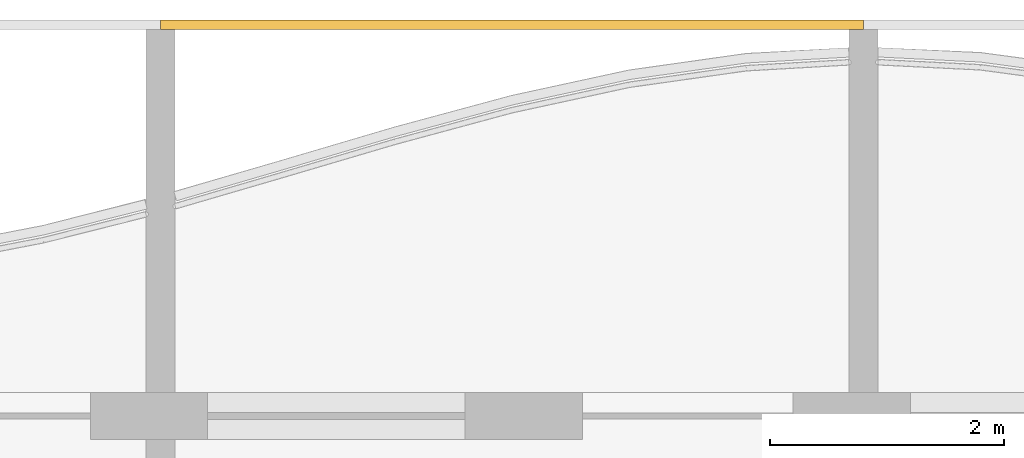
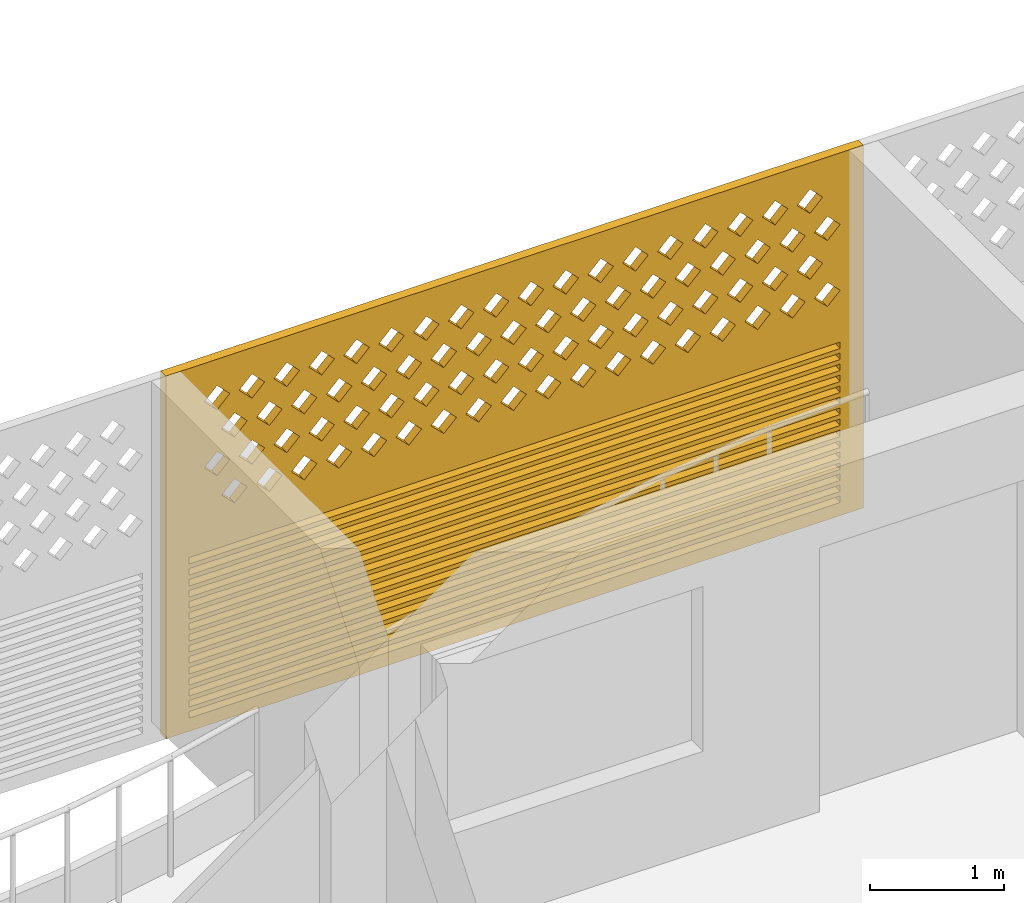
# One storey, part 24 of 26: 1 covering.
"""IFC4 building model written with IfcOpenShell, lengths in metres."""

from ifc_helpers import new_model, si_unit, direction, frame, origin, place, context, subcontext, project, spatial, polyline, outline, extrude, source, transform, mapped, material, material_profile, profile_set, type_object, element, save


model = new_model("IFC4")

# Units and contexts
model_context = context("Model", 3, precision=1e-05, world=origin(), true_north=direction((0.0, 1.0)))
body_context = subcontext(model_context, "Body", "Model", "MODEL_VIEW")
ifc_project = project(units=[si_unit("LENGTHUNIT", "METRE"), si_unit("AREAUNIT", "SQUARE_METRE"), si_unit("VOLUMEUNIT", "CUBIC_METRE"), si_unit("PLANEANGLEUNIT", "RADIAN"), si_unit("MASSUNIT", "GRAM", prefix="KILO")], contexts=[model_context])

# Site, building, storey
site_placement = place(None, origin())
site = spatial("IfcSite", under=ifc_project, at=site_placement, CompositionType="ELEMENT")
building_placement = place(site_placement, origin())
building = spatial("IfcBuilding", under=site, at=building_placement, Name="Poui Terraces", CompositionType="ELEMENT")
storey_placement = place(building_placement, frame((0.0, 0.0, 247.800048828125)))
storey = spatial("IfcBuildingStorey", under=building, at=storey_placement, Name="L69", CompositionType="ELEMENT", Elevation=247.800048828125)

# Covering
ifc_material = material(Name="Terracotta screen", Category="masonry")
ifc_material_profile = material_profile(ifc_material, outline(polyline([(-3.0, -1.64990234375), (3.0, -1.64990234375), (3.0, 1.64990234375), (-3.0, 1.64990234375), (-3.0, -1.64990234375)]), holes=[polyline([(-2.800048828125, 0.39990234375), (-2.68994140625, 0.2900390625), (-2.580078125, 0.39990234375), (-2.68994140625, 0.510009765625), (-2.800048828125, 0.39990234375)]), polyline([(-2.5, 0.39990234375), (-2.389892578125, 0.2900390625), (-2.280029296875, 0.39990234375), (-2.389892578125, 0.510009765625), (-2.5, 0.39990234375)]), polyline([(-2.199951171875, 0.39990234375), (-2.090087890625, 0.2900390625), (-1.97998046875, 0.39990234375), (-2.090087890625, 0.510009765625), (-2.199951171875, 0.39990234375)]), polyline([(-1.89990234375, 0.39990234375), (-1.7900390625, 0.2900390625), (-1.679931640625, 0.39990234375), (-1.7900390625, 0.510009765625), (-1.89990234375, 0.39990234375)]), polyline([(-1.60009765625, 0.39990234375), (-1.489990234375, 0.2900390625), (-1.3798828125, 0.39990234375), (-1.489990234375, 0.510009765625), (-1.60009765625, 0.39990234375)]), polyline([(-1.300048828125, 0.39990234375), (-1.18994140625, 0.2900390625), (-1.080078125, 0.39990234375), (-1.18994140625, 0.510009765625), (-1.300048828125, 0.39990234375)]), polyline([(-1.0, 0.39990234375), (-0.889892578125, 0.2900390625), (-0.780029296875, 0.39990234375), (-0.889892578125, 0.510009765625), (-1.0, 0.39990234375)]), polyline([(-0.699951171875, 0.39990234375), (-0.590087890625, 0.2900390625), (-0.47998046875, 0.39990234375), (-0.590087890625, 0.510009765625), (-0.699951171875, 0.39990234375)]), polyline([(-0.39990234375, 0.39990234375), (-0.2900390625, 0.2900390625), (-0.179931640625, 0.39990234375), (-0.2900390625, 0.510009765625), (-0.39990234375, 0.39990234375)]), polyline([(-0.10009765625, 0.39990234375), (0.010009765625, 0.2900390625), (0.1201171875, 0.39990234375), (0.010009765625, 0.510009765625), (-0.10009765625, 0.39990234375)]), polyline([(0.199951171875, 0.39990234375), (0.31005859375, 0.2900390625), (0.419921875, 0.39990234375), (0.31005859375, 0.510009765625), (0.199951171875, 0.39990234375)]), polyline([(0.5, 0.39990234375), (0.610107421875, 0.2900390625), (0.719970703125, 0.39990234375), (0.610107421875, 0.510009765625), (0.5, 0.39990234375)]), polyline([(0.800048828125, 0.39990234375), (0.909912109375, 0.2900390625), (1.02001953125, 0.39990234375), (0.909912109375, 0.510009765625), (0.800048828125, 0.39990234375)]), polyline([(1.10009765625, 0.39990234375), (1.2099609375, 0.2900390625), (1.320068359375, 0.39990234375), (1.2099609375, 0.510009765625), (1.10009765625, 0.39990234375)]), polyline([(1.39990234375, 0.39990234375), (1.510009765625, 0.2900390625), (1.6201171875, 0.39990234375), (1.510009765625, 0.510009765625), (1.39990234375, 0.39990234375)]), polyline([(1.699951171875, 0.39990234375), (1.81005859375, 0.2900390625), (1.919921875, 0.39990234375), (1.81005859375, 0.510009765625), (1.699951171875, 0.39990234375)]), polyline([(2.0, 0.39990234375), (2.110107421875, 0.2900390625), (2.219970703125, 0.39990234375), (2.110107421875, 0.510009765625), (2.0, 0.39990234375)]), polyline([(2.300048828125, 0.39990234375), (2.409912109375, 0.2900390625), (2.52001953125, 0.39990234375), (2.409912109375, 0.510009765625), (2.300048828125, 0.39990234375)]), polyline([(-2.64990234375, 0.699951171875), (-2.5400390625, 0.590087890625), (-2.429931640625, 0.699951171875), (-2.5400390625, 0.81005859375), (-2.64990234375, 0.699951171875)]), polyline([(-2.35009765625, 0.699951171875), (-2.239990234375, 0.590087890625), (-2.1298828125, 0.699951171875), (-2.239990234375, 0.81005859375), (-2.35009765625, 0.699951171875)]), polyline([(-2.050048828125, 0.699951171875), (-1.93994140625, 0.590087890625), (-1.830078125, 0.699951171875), (-1.93994140625, 0.81005859375), (-2.050048828125, 0.699951171875)]), polyline([(-1.75, 0.699951171875), (-1.639892578125, 0.590087890625), (-1.530029296875, 0.699951171875), (-1.639892578125, 0.81005859375), (-1.75, 0.699951171875)]), polyline([(-1.449951171875, 0.699951171875), (-1.340087890625, 0.590087890625), (-1.22998046875, 0.699951171875), (-1.340087890625, 0.81005859375), (-1.449951171875, 0.699951171875)]), polyline([(-1.14990234375, 0.699951171875), (-1.0400390625, 0.590087890625), (-0.929931640625, 0.699951171875), (-1.0400390625, 0.81005859375), (-1.14990234375, 0.699951171875)]), polyline([(-0.85009765625, 0.699951171875), (-0.739990234375, 0.590087890625), (-0.6298828125, 0.699951171875), (-0.739990234375, 0.81005859375), (-0.85009765625, 0.699951171875)]), polyline([(-0.550048828125, 0.699951171875), (-0.43994140625, 0.590087890625), (-0.330078125, 0.699951171875), (-0.43994140625, 0.81005859375), (-0.550048828125, 0.699951171875)]), polyline([(-0.25, 0.699951171875), (-0.139892578125, 0.590087890625), (-0.030029296875, 0.699951171875), (-0.139892578125, 0.81005859375), (-0.25, 0.699951171875)]), polyline([(0.050048828125, 0.699951171875), (0.159912109375, 0.590087890625), (0.27001953125, 0.699951171875), (0.159912109375, 0.81005859375), (0.050048828125, 0.699951171875)]), polyline([(0.35009765625, 0.699951171875), (0.4599609375, 0.590087890625), (0.570068359375, 0.699951171875), (0.4599609375, 0.81005859375), (0.35009765625, 0.699951171875)]), polyline([(0.64990234375, 0.699951171875), (0.760009765625, 0.590087890625), (0.8701171875, 0.699951171875), (0.760009765625, 0.81005859375), (0.64990234375, 0.699951171875)]), polyline([(0.949951171875, 0.699951171875), (1.06005859375, 0.590087890625), (1.169921875, 0.699951171875), (1.06005859375, 0.81005859375), (0.949951171875, 0.699951171875)]), polyline([(1.25, 0.699951171875), (1.360107421875, 0.590087890625), (1.469970703125, 0.699951171875), (1.360107421875, 0.81005859375), (1.25, 0.699951171875)]), polyline([(1.550048828125, 0.699951171875), (1.659912109375, 0.590087890625), (1.77001953125, 0.699951171875), (1.659912109375, 0.81005859375), (1.550048828125, 0.699951171875)]), polyline([(1.85009765625, 0.699951171875), (1.9599609375, 0.590087890625), (2.070068359375, 0.699951171875), (1.9599609375, 0.81005859375), (1.85009765625, 0.699951171875)]), polyline([(2.14990234375, 0.699951171875), (2.260009765625, 0.590087890625), (2.3701171875, 0.699951171875), (2.260009765625, 0.81005859375), (2.14990234375, 0.699951171875)]), polyline([(2.449951171875, 0.699951171875), (2.56005859375, 0.590087890625), (2.669921875, 0.699951171875), (2.56005859375, 0.81005859375), (2.449951171875, 0.699951171875)]), polyline([(-2.800048828125, 1.0), (-2.68994140625, 0.889892578125), (-2.580078125, 1.0), (-2.68994140625, 1.110107421875), (-2.800048828125, 1.0)]), polyline([(-2.5, 1.0), (-2.389892578125, 0.889892578125), (-2.280029296875, 1.0), (-2.389892578125, 1.110107421875), (-2.5, 1.0)]), polyline([(-2.199951171875, 1.0), (-2.090087890625, 0.889892578125), (-1.97998046875, 1.0), (-2.090087890625, 1.110107421875), (-2.199951171875, 1.0)]), polyline([(-1.89990234375, 1.0), (-1.7900390625, 0.889892578125), (-1.679931640625, 1.0), (-1.7900390625, 1.110107421875), (-1.89990234375, 1.0)]), polyline([(-1.60009765625, 1.0), (-1.489990234375, 0.889892578125), (-1.3798828125, 1.0), (-1.489990234375, 1.110107421875), (-1.60009765625, 1.0)]), polyline([(-1.300048828125, 1.0), (-1.18994140625, 0.889892578125), (-1.080078125, 1.0), (-1.18994140625, 1.110107421875), (-1.300048828125, 1.0)]), polyline([(-1.0, 1.0), (-0.889892578125, 0.889892578125), (-0.780029296875, 1.0), (-0.889892578125, 1.110107421875), (-1.0, 1.0)]), polyline([(-0.699951171875, 1.0), (-0.590087890625, 0.889892578125), (-0.47998046875, 1.0), (-0.590087890625, 1.110107421875), (-0.699951171875, 1.0)]), polyline([(-0.39990234375, 1.0), (-0.2900390625, 0.889892578125), (-0.179931640625, 1.0), (-0.2900390625, 1.110107421875), (-0.39990234375, 1.0)]), polyline([(-0.10009765625, 1.0), (0.010009765625, 0.889892578125), (0.1201171875, 1.0), (0.010009765625, 1.110107421875), (-0.10009765625, 1.0)]), polyline([(0.199951171875, 1.0), (0.31005859375, 0.889892578125), (0.419921875, 1.0), (0.31005859375, 1.110107421875), (0.199951171875, 1.0)]), polyline([(0.5, 1.0), (0.610107421875, 0.889892578125), (0.719970703125, 1.0), (0.610107421875, 1.110107421875), (0.5, 1.0)]), polyline([(0.800048828125, 1.0), (0.909912109375, 0.889892578125), (1.02001953125, 1.0), (0.909912109375, 1.110107421875), (0.800048828125, 1.0)]), polyline([(1.10009765625, 1.0), (1.2099609375, 0.889892578125), (1.320068359375, 1.0), (1.2099609375, 1.110107421875), (1.10009765625, 1.0)]), polyline([(1.39990234375, 1.0), (1.510009765625, 0.889892578125), (1.6201171875, 1.0), (1.510009765625, 1.110107421875), (1.39990234375, 1.0)]), polyline([(1.699951171875, 1.0), (1.81005859375, 0.889892578125), (1.919921875, 1.0), (1.81005859375, 1.110107421875), (1.699951171875, 1.0)]), polyline([(2.0, 1.0), (2.110107421875, 0.889892578125), (2.219970703125, 1.0), (2.110107421875, 1.110107421875), (2.0, 1.0)]), polyline([(2.300048828125, 1.0), (2.409912109375, 0.889892578125), (2.52001953125, 1.0), (2.409912109375, 1.110107421875), (2.300048828125, 1.0)]), polyline([(-2.64990234375, 1.300048828125), (-2.5400390625, 1.18994140625), (-2.429931640625, 1.300048828125), (-2.5400390625, 1.409912109375), (-2.64990234375, 1.300048828125)]), polyline([(-2.35009765625, 1.300048828125), (-2.239990234375, 1.18994140625), (-2.1298828125, 1.300048828125), (-2.239990234375, 1.409912109375), (-2.35009765625, 1.300048828125)]), polyline([(-2.050048828125, 1.300048828125), (-1.93994140625, 1.18994140625), (-1.830078125, 1.300048828125), (-1.93994140625, 1.409912109375), (-2.050048828125, 1.300048828125)]), polyline([(-1.75, 1.300048828125), (-1.639892578125, 1.18994140625), (-1.530029296875, 1.300048828125), (-1.639892578125, 1.409912109375), (-1.75, 1.300048828125)]), polyline([(-1.449951171875, 1.300048828125), (-1.340087890625, 1.18994140625), (-1.22998046875, 1.300048828125), (-1.340087890625, 1.409912109375), (-1.449951171875, 1.300048828125)]), polyline([(-1.14990234375, 1.300048828125), (-1.0400390625, 1.18994140625), (-0.929931640625, 1.300048828125), (-1.0400390625, 1.409912109375), (-1.14990234375, 1.300048828125)]), polyline([(-0.85009765625, 1.300048828125), (-0.739990234375, 1.18994140625), (-0.6298828125, 1.300048828125), (-0.739990234375, 1.409912109375), (-0.85009765625, 1.300048828125)]), polyline([(-0.550048828125, 1.300048828125), (-0.43994140625, 1.18994140625), (-0.330078125, 1.300048828125), (-0.43994140625, 1.409912109375), (-0.550048828125, 1.300048828125)]), polyline([(-0.25, 1.300048828125), (-0.139892578125, 1.18994140625), (-0.030029296875, 1.300048828125), (-0.139892578125, 1.409912109375), (-0.25, 1.300048828125)]), polyline([(0.050048828125, 1.300048828125), (0.159912109375, 1.18994140625), (0.27001953125, 1.300048828125), (0.159912109375, 1.409912109375), (0.050048828125, 1.300048828125)]), polyline([(0.35009765625, 1.300048828125), (0.4599609375, 1.18994140625), (0.570068359375, 1.300048828125), (0.4599609375, 1.409912109375), (0.35009765625, 1.300048828125)]), polyline([(0.64990234375, 1.300048828125), (0.760009765625, 1.18994140625), (0.8701171875, 1.300048828125), (0.760009765625, 1.409912109375), (0.64990234375, 1.300048828125)]), polyline([(0.949951171875, 1.300048828125), (1.06005859375, 1.18994140625), (1.169921875, 1.300048828125), (1.06005859375, 1.409912109375), (0.949951171875, 1.300048828125)]), polyline([(1.25, 1.300048828125), (1.360107421875, 1.18994140625), (1.469970703125, 1.300048828125), (1.360107421875, 1.409912109375), (1.25, 1.300048828125)]), polyline([(1.550048828125, 1.300048828125), (1.659912109375, 1.18994140625), (1.77001953125, 1.300048828125), (1.659912109375, 1.409912109375), (1.550048828125, 1.300048828125)]), polyline([(1.85009765625, 1.300048828125), (1.9599609375, 1.18994140625), (2.070068359375, 1.300048828125), (1.9599609375, 1.409912109375), (1.85009765625, 1.300048828125)]), polyline([(2.14990234375, 1.300048828125), (2.260009765625, 1.18994140625), (2.3701171875, 1.300048828125), (2.260009765625, 1.409912109375), (2.14990234375, 1.300048828125)]), polyline([(2.449951171875, 1.300048828125), (2.56005859375, 1.18994140625), (2.669921875, 1.300048828125), (2.56005859375, 1.409912109375), (2.449951171875, 1.300048828125)]), polyline([(-2.800048828125, -1.530029296875), (2.800048828125, -1.530029296875), (2.800048828125, -1.469970703125), (-2.800048828125, -1.469970703125), (-2.800048828125, -1.530029296875)]), polyline([(-2.800048828125, -1.429931640625), (2.800048828125, -1.429931640625), (2.800048828125, -1.3701171875), (-2.800048828125, -1.3701171875), (-2.800048828125, -1.429931640625)]), polyline([(-2.800048828125, -1.330078125), (2.800048828125, -1.330078125), (2.800048828125, -1.27001953125), (-2.800048828125, -1.27001953125), (-2.800048828125, -1.330078125)]), polyline([(-2.800048828125, -1.22998046875), (2.800048828125, -1.22998046875), (2.800048828125, -1.169921875), (-2.800048828125, -1.169921875), (-2.800048828125, -1.22998046875)]), polyline([(-2.800048828125, -1.1298828125), (2.800048828125, -1.1298828125), (2.800048828125, -1.070068359375), (-2.800048828125, -1.070068359375), (-2.800048828125, -1.1298828125)]), polyline([(-2.800048828125, -1.030029296875), (2.800048828125, -1.030029296875), (2.800048828125, -0.969970703125), (-2.800048828125, -0.969970703125), (-2.800048828125, -1.030029296875)]), polyline([(-2.800048828125, -0.929931640625), (2.800048828125, -0.929931640625), (2.800048828125, -0.8701171875), (-2.800048828125, -0.8701171875), (-2.800048828125, -0.929931640625)]), polyline([(-2.800048828125, -0.830078125), (2.800048828125, -0.830078125), (2.800048828125, -0.77001953125), (-2.800048828125, -0.77001953125), (-2.800048828125, -0.830078125)]), polyline([(-2.800048828125, -0.72998046875), (2.800048828125, -0.72998046875), (2.800048828125, -0.669921875), (-2.800048828125, -0.669921875), (-2.800048828125, -0.72998046875)]), polyline([(-2.800048828125, -0.6298828125), (2.800048828125, -0.6298828125), (2.800048828125, -0.570068359375), (-2.800048828125, -0.570068359375), (-2.800048828125, -0.6298828125)]), polyline([(-2.800048828125, -0.530029296875), (2.800048828125, -0.530029296875), (2.800048828125, -0.469970703125), (-2.800048828125, -0.469970703125), (-2.800048828125, -0.530029296875)]), polyline([(-2.800048828125, -0.429931640625), (2.800048828125, -0.429931640625), (2.800048828125, -0.3701171875), (-2.800048828125, -0.3701171875), (-2.800048828125, -0.429931640625)]), polyline([(-2.800048828125, -0.330078125), (2.800048828125, -0.330078125), (2.800048828125, -0.27001953125), (-2.800048828125, -0.27001953125), (-2.800048828125, -0.330078125)]), polyline([(-2.800048828125, -0.22998046875), (2.800048828125, -0.22998046875), (2.800048828125, -0.169921875), (-2.800048828125, -0.169921875), (-2.800048828125, -0.22998046875)]), polyline([(-2.800048828125, -0.1298828125), (2.800048828125, -0.1298828125), (2.800048828125, -0.070068359375), (-2.800048828125, -0.070068359375), (-2.800048828125, -0.1298828125)])]), Name="TERRACOTTA SCREEN AND JALOUSIE LOUVRE 6000X3300")
ifc_profile_set = profile_set([ifc_material_profile], Name="Terracotta screen")
covering_type = type_object("IfcCoveringType", Name="TERRACOTTA SCREEN AND JALOUSIE LOUVRE 6000X3300", PredefinedType="CLADDING", material=ifc_profile_set)
shared_shape = source(origin(), body_context, "Body", "SweptSolid", [
    extrude(outline(polyline([(-3.0, -1.64990234375), (3.0, -1.64990234375), (3.0, 1.64990234375), (-3.0, 1.64990234375), (-3.0, -1.64990234375)]), holes=[polyline([(-2.800048828125, 0.39990234375), (-2.68994140625, 0.2900390625), (-2.580078125, 0.39990234375), (-2.68994140625, 0.510009765625), (-2.800048828125, 0.39990234375)]), polyline([(-2.5, 0.39990234375), (-2.389892578125, 0.2900390625), (-2.280029296875, 0.39990234375), (-2.389892578125, 0.510009765625), (-2.5, 0.39990234375)]), polyline([(-2.199951171875, 0.39990234375), (-2.090087890625, 0.2900390625), (-1.97998046875, 0.39990234375), (-2.090087890625, 0.510009765625), (-2.199951171875, 0.39990234375)]), polyline([(-1.89990234375, 0.39990234375), (-1.7900390625, 0.2900390625), (-1.679931640625, 0.39990234375), (-1.7900390625, 0.510009765625), (-1.89990234375, 0.39990234375)]), polyline([(-1.60009765625, 0.39990234375), (-1.489990234375, 0.2900390625), (-1.3798828125, 0.39990234375), (-1.489990234375, 0.510009765625), (-1.60009765625, 0.39990234375)]), polyline([(-1.300048828125, 0.39990234375), (-1.18994140625, 0.2900390625), (-1.080078125, 0.39990234375), (-1.18994140625, 0.510009765625), (-1.300048828125, 0.39990234375)]), polyline([(-1.0, 0.39990234375), (-0.889892578125, 0.2900390625), (-0.780029296875, 0.39990234375), (-0.889892578125, 0.510009765625), (-1.0, 0.39990234375)]), polyline([(-0.699951171875, 0.39990234375), (-0.590087890625, 0.2900390625), (-0.47998046875, 0.39990234375), (-0.590087890625, 0.510009765625), (-0.699951171875, 0.39990234375)]), polyline([(-0.39990234375, 0.39990234375), (-0.2900390625, 0.2900390625), (-0.179931640625, 0.39990234375), (-0.2900390625, 0.510009765625), (-0.39990234375, 0.39990234375)]), polyline([(-0.10009765625, 0.39990234375), (0.010009765625, 0.2900390625), (0.1201171875, 0.39990234375), (0.010009765625, 0.510009765625), (-0.10009765625, 0.39990234375)]), polyline([(0.199951171875, 0.39990234375), (0.31005859375, 0.2900390625), (0.419921875, 0.39990234375), (0.31005859375, 0.510009765625), (0.199951171875, 0.39990234375)]), polyline([(0.5, 0.39990234375), (0.610107421875, 0.2900390625), (0.719970703125, 0.39990234375), (0.610107421875, 0.510009765625), (0.5, 0.39990234375)]), polyline([(0.800048828125, 0.39990234375), (0.909912109375, 0.2900390625), (1.02001953125, 0.39990234375), (0.909912109375, 0.510009765625), (0.800048828125, 0.39990234375)]), polyline([(1.10009765625, 0.39990234375), (1.2099609375, 0.2900390625), (1.320068359375, 0.39990234375), (1.2099609375, 0.510009765625), (1.10009765625, 0.39990234375)]), polyline([(1.39990234375, 0.39990234375), (1.510009765625, 0.2900390625), (1.6201171875, 0.39990234375), (1.510009765625, 0.510009765625), (1.39990234375, 0.39990234375)]), polyline([(1.699951171875, 0.39990234375), (1.81005859375, 0.2900390625), (1.919921875, 0.39990234375), (1.81005859375, 0.510009765625), (1.699951171875, 0.39990234375)]), polyline([(2.0, 0.39990234375), (2.110107421875, 0.2900390625), (2.219970703125, 0.39990234375), (2.110107421875, 0.510009765625), (2.0, 0.39990234375)]), polyline([(2.300048828125, 0.39990234375), (2.409912109375, 0.2900390625), (2.52001953125, 0.39990234375), (2.409912109375, 0.510009765625), (2.300048828125, 0.39990234375)]), polyline([(-2.64990234375, 0.699951171875), (-2.5400390625, 0.590087890625), (-2.429931640625, 0.699951171875), (-2.5400390625, 0.81005859375), (-2.64990234375, 0.699951171875)]), polyline([(-2.35009765625, 0.699951171875), (-2.239990234375, 0.590087890625), (-2.1298828125, 0.699951171875), (-2.239990234375, 0.81005859375), (-2.35009765625, 0.699951171875)]), polyline([(-2.050048828125, 0.699951171875), (-1.93994140625, 0.590087890625), (-1.830078125, 0.699951171875), (-1.93994140625, 0.81005859375), (-2.050048828125, 0.699951171875)]), polyline([(-1.75, 0.699951171875), (-1.639892578125, 0.590087890625), (-1.530029296875, 0.699951171875), (-1.639892578125, 0.81005859375), (-1.75, 0.699951171875)]), polyline([(-1.449951171875, 0.699951171875), (-1.340087890625, 0.590087890625), (-1.22998046875, 0.699951171875), (-1.340087890625, 0.81005859375), (-1.449951171875, 0.699951171875)]), polyline([(-1.14990234375, 0.699951171875), (-1.0400390625, 0.590087890625), (-0.929931640625, 0.699951171875), (-1.0400390625, 0.81005859375), (-1.14990234375, 0.699951171875)]), polyline([(-0.85009765625, 0.699951171875), (-0.739990234375, 0.590087890625), (-0.6298828125, 0.699951171875), (-0.739990234375, 0.81005859375), (-0.85009765625, 0.699951171875)]), polyline([(-0.550048828125, 0.699951171875), (-0.43994140625, 0.590087890625), (-0.330078125, 0.699951171875), (-0.43994140625, 0.81005859375), (-0.550048828125, 0.699951171875)]), polyline([(-0.25, 0.699951171875), (-0.139892578125, 0.590087890625), (-0.030029296875, 0.699951171875), (-0.139892578125, 0.81005859375), (-0.25, 0.699951171875)]), polyline([(0.050048828125, 0.699951171875), (0.159912109375, 0.590087890625), (0.27001953125, 0.699951171875), (0.159912109375, 0.81005859375), (0.050048828125, 0.699951171875)]), polyline([(0.35009765625, 0.699951171875), (0.4599609375, 0.590087890625), (0.570068359375, 0.699951171875), (0.4599609375, 0.81005859375), (0.35009765625, 0.699951171875)]), polyline([(0.64990234375, 0.699951171875), (0.760009765625, 0.590087890625), (0.8701171875, 0.699951171875), (0.760009765625, 0.81005859375), (0.64990234375, 0.699951171875)]), polyline([(0.949951171875, 0.699951171875), (1.06005859375, 0.590087890625), (1.169921875, 0.699951171875), (1.06005859375, 0.81005859375), (0.949951171875, 0.699951171875)]), polyline([(1.25, 0.699951171875), (1.360107421875, 0.590087890625), (1.469970703125, 0.699951171875), (1.360107421875, 0.81005859375), (1.25, 0.699951171875)]), polyline([(1.550048828125, 0.699951171875), (1.659912109375, 0.590087890625), (1.77001953125, 0.699951171875), (1.659912109375, 0.81005859375), (1.550048828125, 0.699951171875)]), polyline([(1.85009765625, 0.699951171875), (1.9599609375, 0.590087890625), (2.070068359375, 0.699951171875), (1.9599609375, 0.81005859375), (1.85009765625, 0.699951171875)]), polyline([(2.14990234375, 0.699951171875), (2.260009765625, 0.590087890625), (2.3701171875, 0.699951171875), (2.260009765625, 0.81005859375), (2.14990234375, 0.699951171875)]), polyline([(2.449951171875, 0.699951171875), (2.56005859375, 0.590087890625), (2.669921875, 0.699951171875), (2.56005859375, 0.81005859375), (2.449951171875, 0.699951171875)]), polyline([(-2.800048828125, 1.0), (-2.68994140625, 0.889892578125), (-2.580078125, 1.0), (-2.68994140625, 1.110107421875), (-2.800048828125, 1.0)]), polyline([(-2.5, 1.0), (-2.389892578125, 0.889892578125), (-2.280029296875, 1.0), (-2.389892578125, 1.110107421875), (-2.5, 1.0)]), polyline([(-2.199951171875, 1.0), (-2.090087890625, 0.889892578125), (-1.97998046875, 1.0), (-2.090087890625, 1.110107421875), (-2.199951171875, 1.0)]), polyline([(-1.89990234375, 1.0), (-1.7900390625, 0.889892578125), (-1.679931640625, 1.0), (-1.7900390625, 1.110107421875), (-1.89990234375, 1.0)]), polyline([(-1.60009765625, 1.0), (-1.489990234375, 0.889892578125), (-1.3798828125, 1.0), (-1.489990234375, 1.110107421875), (-1.60009765625, 1.0)]), polyline([(-1.300048828125, 1.0), (-1.18994140625, 0.889892578125), (-1.080078125, 1.0), (-1.18994140625, 1.110107421875), (-1.300048828125, 1.0)]), polyline([(-1.0, 1.0), (-0.889892578125, 0.889892578125), (-0.780029296875, 1.0), (-0.889892578125, 1.110107421875), (-1.0, 1.0)]), polyline([(-0.699951171875, 1.0), (-0.590087890625, 0.889892578125), (-0.47998046875, 1.0), (-0.590087890625, 1.110107421875), (-0.699951171875, 1.0)]), polyline([(-0.39990234375, 1.0), (-0.2900390625, 0.889892578125), (-0.179931640625, 1.0), (-0.2900390625, 1.110107421875), (-0.39990234375, 1.0)]), polyline([(-0.10009765625, 1.0), (0.010009765625, 0.889892578125), (0.1201171875, 1.0), (0.010009765625, 1.110107421875), (-0.10009765625, 1.0)]), polyline([(0.199951171875, 1.0), (0.31005859375, 0.889892578125), (0.419921875, 1.0), (0.31005859375, 1.110107421875), (0.199951171875, 1.0)]), polyline([(0.5, 1.0), (0.610107421875, 0.889892578125), (0.719970703125, 1.0), (0.610107421875, 1.110107421875), (0.5, 1.0)]), polyline([(0.800048828125, 1.0), (0.909912109375, 0.889892578125), (1.02001953125, 1.0), (0.909912109375, 1.110107421875), (0.800048828125, 1.0)]), polyline([(1.10009765625, 1.0), (1.2099609375, 0.889892578125), (1.320068359375, 1.0), (1.2099609375, 1.110107421875), (1.10009765625, 1.0)]), polyline([(1.39990234375, 1.0), (1.510009765625, 0.889892578125), (1.6201171875, 1.0), (1.510009765625, 1.110107421875), (1.39990234375, 1.0)]), polyline([(1.699951171875, 1.0), (1.81005859375, 0.889892578125), (1.919921875, 1.0), (1.81005859375, 1.110107421875), (1.699951171875, 1.0)]), polyline([(2.0, 1.0), (2.110107421875, 0.889892578125), (2.219970703125, 1.0), (2.110107421875, 1.110107421875), (2.0, 1.0)]), polyline([(2.300048828125, 1.0), (2.409912109375, 0.889892578125), (2.52001953125, 1.0), (2.409912109375, 1.110107421875), (2.300048828125, 1.0)]), polyline([(-2.64990234375, 1.300048828125), (-2.5400390625, 1.18994140625), (-2.429931640625, 1.300048828125), (-2.5400390625, 1.409912109375), (-2.64990234375, 1.300048828125)]), polyline([(-2.35009765625, 1.300048828125), (-2.239990234375, 1.18994140625), (-2.1298828125, 1.300048828125), (-2.239990234375, 1.409912109375), (-2.35009765625, 1.300048828125)]), polyline([(-2.050048828125, 1.300048828125), (-1.93994140625, 1.18994140625), (-1.830078125, 1.300048828125), (-1.93994140625, 1.409912109375), (-2.050048828125, 1.300048828125)]), polyline([(-1.75, 1.300048828125), (-1.639892578125, 1.18994140625), (-1.530029296875, 1.300048828125), (-1.639892578125, 1.409912109375), (-1.75, 1.300048828125)]), polyline([(-1.449951171875, 1.300048828125), (-1.340087890625, 1.18994140625), (-1.22998046875, 1.300048828125), (-1.340087890625, 1.409912109375), (-1.449951171875, 1.300048828125)]), polyline([(-1.14990234375, 1.300048828125), (-1.0400390625, 1.18994140625), (-0.929931640625, 1.300048828125), (-1.0400390625, 1.409912109375), (-1.14990234375, 1.300048828125)]), polyline([(-0.85009765625, 1.300048828125), (-0.739990234375, 1.18994140625), (-0.6298828125, 1.300048828125), (-0.739990234375, 1.409912109375), (-0.85009765625, 1.300048828125)]), polyline([(-0.550048828125, 1.300048828125), (-0.43994140625, 1.18994140625), (-0.330078125, 1.300048828125), (-0.43994140625, 1.409912109375), (-0.550048828125, 1.300048828125)]), polyline([(-0.25, 1.300048828125), (-0.139892578125, 1.18994140625), (-0.030029296875, 1.300048828125), (-0.139892578125, 1.409912109375), (-0.25, 1.300048828125)]), polyline([(0.050048828125, 1.300048828125), (0.159912109375, 1.18994140625), (0.27001953125, 1.300048828125), (0.159912109375, 1.409912109375), (0.050048828125, 1.300048828125)]), polyline([(0.35009765625, 1.300048828125), (0.4599609375, 1.18994140625), (0.570068359375, 1.300048828125), (0.4599609375, 1.409912109375), (0.35009765625, 1.300048828125)]), polyline([(0.64990234375, 1.300048828125), (0.760009765625, 1.18994140625), (0.8701171875, 1.300048828125), (0.760009765625, 1.409912109375), (0.64990234375, 1.300048828125)]), polyline([(0.949951171875, 1.300048828125), (1.06005859375, 1.18994140625), (1.169921875, 1.300048828125), (1.06005859375, 1.409912109375), (0.949951171875, 1.300048828125)]), polyline([(1.25, 1.300048828125), (1.360107421875, 1.18994140625), (1.469970703125, 1.300048828125), (1.360107421875, 1.409912109375), (1.25, 1.300048828125)]), polyline([(1.550048828125, 1.300048828125), (1.659912109375, 1.18994140625), (1.77001953125, 1.300048828125), (1.659912109375, 1.409912109375), (1.550048828125, 1.300048828125)]), polyline([(1.85009765625, 1.300048828125), (1.9599609375, 1.18994140625), (2.070068359375, 1.300048828125), (1.9599609375, 1.409912109375), (1.85009765625, 1.300048828125)]), polyline([(2.14990234375, 1.300048828125), (2.260009765625, 1.18994140625), (2.3701171875, 1.300048828125), (2.260009765625, 1.409912109375), (2.14990234375, 1.300048828125)]), polyline([(2.449951171875, 1.300048828125), (2.56005859375, 1.18994140625), (2.669921875, 1.300048828125), (2.56005859375, 1.409912109375), (2.449951171875, 1.300048828125)]), polyline([(-2.800048828125, -1.530029296875), (2.800048828125, -1.530029296875), (2.800048828125, -1.469970703125), (-2.800048828125, -1.469970703125), (-2.800048828125, -1.530029296875)]), polyline([(-2.800048828125, -1.429931640625), (2.800048828125, -1.429931640625), (2.800048828125, -1.3701171875), (-2.800048828125, -1.3701171875), (-2.800048828125, -1.429931640625)]), polyline([(-2.800048828125, -1.330078125), (2.800048828125, -1.330078125), (2.800048828125, -1.27001953125), (-2.800048828125, -1.27001953125), (-2.800048828125, -1.330078125)]), polyline([(-2.800048828125, -1.22998046875), (2.800048828125, -1.22998046875), (2.800048828125, -1.169921875), (-2.800048828125, -1.169921875), (-2.800048828125, -1.22998046875)]), polyline([(-2.800048828125, -1.1298828125), (2.800048828125, -1.1298828125), (2.800048828125, -1.070068359375), (-2.800048828125, -1.070068359375), (-2.800048828125, -1.1298828125)]), polyline([(-2.800048828125, -1.030029296875), (2.800048828125, -1.030029296875), (2.800048828125, -0.969970703125), (-2.800048828125, -0.969970703125), (-2.800048828125, -1.030029296875)]), polyline([(-2.800048828125, -0.929931640625), (2.800048828125, -0.929931640625), (2.800048828125, -0.8701171875), (-2.800048828125, -0.8701171875), (-2.800048828125, -0.929931640625)]), polyline([(-2.800048828125, -0.830078125), (2.800048828125, -0.830078125), (2.800048828125, -0.77001953125), (-2.800048828125, -0.77001953125), (-2.800048828125, -0.830078125)]), polyline([(-2.800048828125, -0.72998046875), (2.800048828125, -0.72998046875), (2.800048828125, -0.669921875), (-2.800048828125, -0.669921875), (-2.800048828125, -0.72998046875)]), polyline([(-2.800048828125, -0.6298828125), (2.800048828125, -0.6298828125), (2.800048828125, -0.570068359375), (-2.800048828125, -0.570068359375), (-2.800048828125, -0.6298828125)]), polyline([(-2.800048828125, -0.530029296875), (2.800048828125, -0.530029296875), (2.800048828125, -0.469970703125), (-2.800048828125, -0.469970703125), (-2.800048828125, -0.530029296875)]), polyline([(-2.800048828125, -0.429931640625), (2.800048828125, -0.429931640625), (2.800048828125, -0.3701171875), (-2.800048828125, -0.3701171875), (-2.800048828125, -0.429931640625)]), polyline([(-2.800048828125, -0.330078125), (2.800048828125, -0.330078125), (2.800048828125, -0.27001953125), (-2.800048828125, -0.27001953125), (-2.800048828125, -0.330078125)]), polyline([(-2.800048828125, -0.22998046875), (2.800048828125, -0.22998046875), (2.800048828125, -0.169921875), (-2.800048828125, -0.169921875), (-2.800048828125, -0.22998046875)]), polyline([(-2.800048828125, -0.1298828125), (2.800048828125, -0.1298828125), (2.800048828125, -0.070068359375), (-2.800048828125, -0.070068359375), (-2.800048828125, -0.1298828125)])]), origin(), (0.0, 0.0, 1.0), 0.080078125),
])
covering_placement = place(storey_placement, frame((69.0, 44.5, 1.449951171875), z_axis=(0.0, 1.0, 0.0), x_axis=(-1.0, 0.0, 0.0)))
element("IfcCovering", 1, at=covering_placement, inside=storey, type_object=covering_type, Name="SOLAR SCREEN AND JALOUSIE LOUVRE", PredefinedType="CLADDING", context=body_context, shape_type="MappedRepresentation", body=[
    mapped(shared_shape, transform((0.0, 0.0, 0.0))),
])

save(model, "model.ifc")
